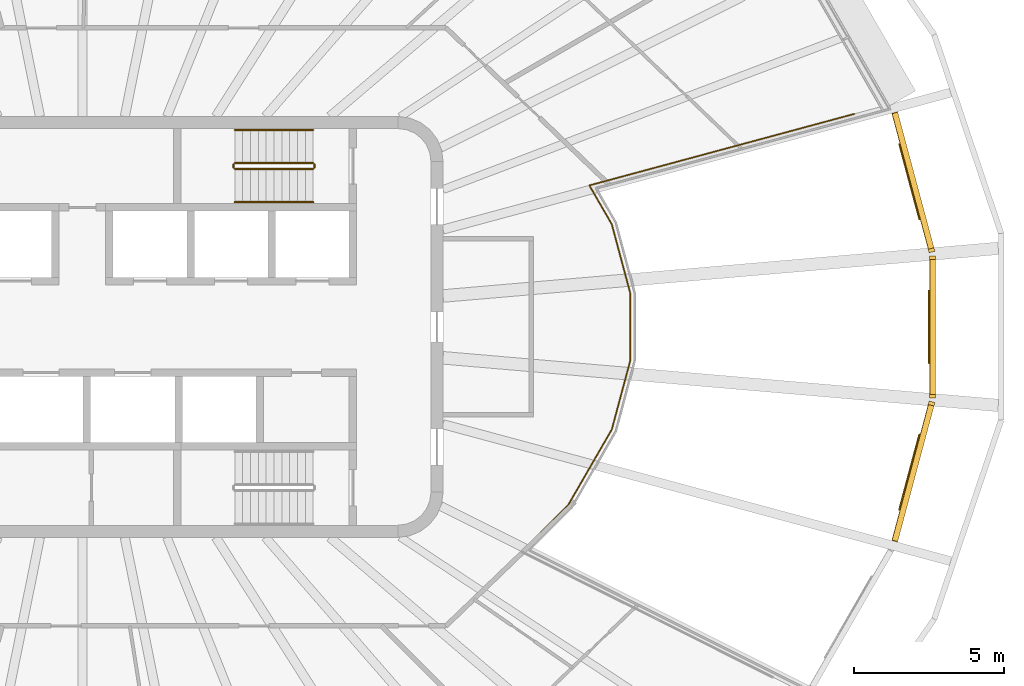
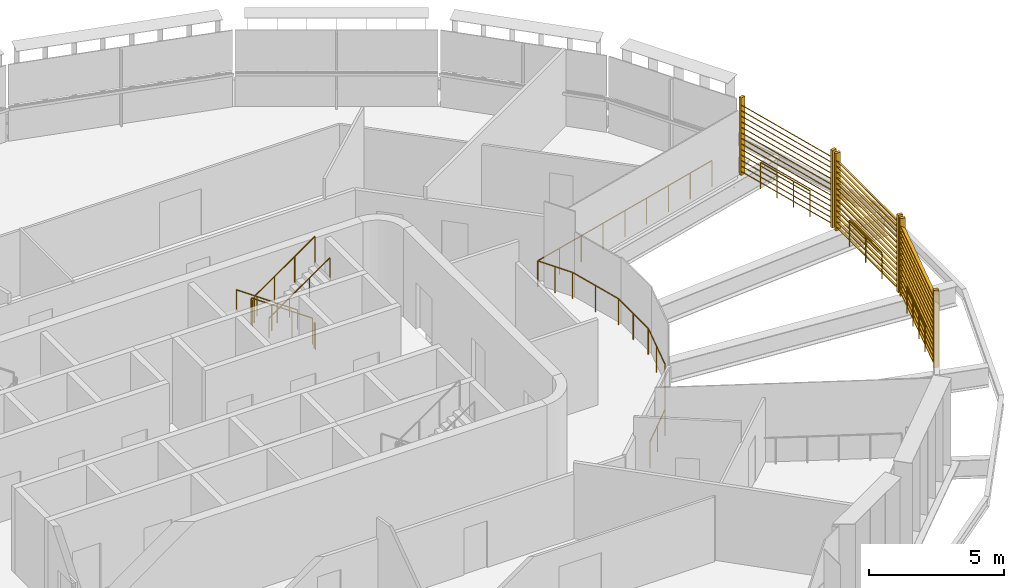
# One storey, part 16 of 17: 10 railings, 3 shading devices.
"""IFC4 building model written with IfcOpenShell, lengths in metres."""

from ifc_helpers import new_model, si_unit, direction, frame, origin, origin_2d, place, context, subcontext, project, spatial, rectangle, circle, extrude, material, type_object, element, save


model = new_model("IFC4")

# Units and contexts
model_context = context("Model", 3, precision=1e-05, world=origin(), true_north=direction((0.0, 1.0)))
body_context = subcontext(model_context, "Body", "Model", "MODEL_VIEW")
ifc_project = project(units=[si_unit("LENGTHUNIT", "METRE"), si_unit("AREAUNIT", "SQUARE_METRE"), si_unit("VOLUMEUNIT", "CUBIC_METRE"), si_unit("PLANEANGLEUNIT", "RADIAN"), si_unit("MASSUNIT", "GRAM", prefix="KILO")], contexts=[model_context])

# Site, building, storey
site_placement = place(None, origin())
site = spatial("IfcSite", under=ifc_project, at=site_placement, CompositionType="ELEMENT")
building_placement = place(site_placement, origin())
building = spatial("IfcBuilding", under=site, at=building_placement, Name="Sahrelin Media Tower", CompositionType="ELEMENT")
storey_placement = place(building_placement, frame((0.0, 0.0, 291.0)))
storey = spatial("IfcBuildingStorey", under=building, at=storey_placement, Name="L64", CompositionType="ELEMENT", Elevation=291.0)

# Shading devices
ifc_material_1 = material(Name="Champagne anodised aluminium 6063-T6", Category="aluminium")
shading_device_type = type_object("IfcShadingDeviceType", Name="Garden screen", PredefinedType="USERDEFINED", material=ifc_material_1)
shading_device_1_placement = place(storey_placement, frame((28.18017578125, 0.0, 0.0), z_axis=(0.0, 0.0, 1.0), x_axis=(0.0, -1.0, 0.0)))
element("IfcShadingDevice", 1, at=shading_device_1_placement, inside=storey, type_object=shading_device_type, Name="L64:SCREEN:L64-00", ObjectType="SCREEN", PredefinedType="USERDEFINED", context=body_context, shape_type="SweptSolid", body=[
    extrude(rectangle(XDim=0.1201171875, YDim=0.199951171875, at=origin_2d()), frame((2.30615234375, 0.10009765625, 0.050048828125), z_axis=(0.0, 0.0, 1.0), x_axis=(1.0, 0.0, 0.0)), (0.0, 0.0, 1.0), 3.49853515625),
    extrude(rectangle(XDim=0.1201171875, YDim=0.199951171875, at=origin_2d()), frame((-2.30615234375, 0.10009765625, 0.050048828125), z_axis=(0.0, 0.0, 1.0), x_axis=(1.0, 0.0, 0.0)), (0.0, 0.0, 1.0), 3.49853515625),
    extrude(rectangle(XDim=0.25, YDim=0.02001953125, at=origin_2d()), frame((2.24609375, 0.10009765625, 0.14990234375), z_axis=(-1.0, 0.0, 0.0), x_axis=(0.0, -0.766044443119, 0.642787609687)), (0.0, 0.0, 1.0), 4.4921875),
    extrude(rectangle(XDim=0.25, YDim=0.02001953125, at=origin_2d()), frame((2.24609375, 0.10009765625, 0.39990234375), z_axis=(-1.0, 0.0, 0.0), x_axis=(0.0, -0.766044443119, 0.642787609687)), (0.0, 0.0, 1.0), 4.4921875),
    extrude(rectangle(XDim=0.25, YDim=0.02001953125, at=origin_2d()), frame((2.24609375, 0.10009765625, 0.64990234375), z_axis=(-1.0, 0.0, 0.0), x_axis=(0.0, -0.766044443119, 0.642787609687)), (0.0, 0.0, 1.0), 4.4921875),
    extrude(rectangle(XDim=0.25, YDim=0.02001953125, at=origin_2d()), frame((2.24609375, 0.10009765625, 0.89990234375), z_axis=(-1.0, 0.0, 0.0), x_axis=(0.0, -0.766044443119, 0.642787609687)), (0.0, 0.0, 1.0), 4.4921875),
    extrude(rectangle(XDim=0.25, YDim=0.02001953125, at=origin_2d()), frame((2.24609375, 0.10009765625, 1.14990234375), z_axis=(-1.0, 0.0, 0.0), x_axis=(0.0, -0.766044443119, 0.642787609687)), (0.0, 0.0, 1.0), 4.4921875),
    extrude(rectangle(XDim=0.25, YDim=0.02001953125, at=origin_2d()), frame((2.24609375, 0.10009765625, 1.39990234375), z_axis=(-1.0, 0.0, 0.0), x_axis=(0.0, -0.766044443119, 0.642787609687)), (0.0, 0.0, 1.0), 4.4921875),
    extrude(rectangle(XDim=0.25, YDim=0.02001953125, at=origin_2d()), frame((2.24609375, 0.10009765625, 1.64990234375), z_axis=(-1.0, 0.0, 0.0), x_axis=(0.0, -0.766044443119, 0.642787609687)), (0.0, 0.0, 1.0), 4.4921875),
    extrude(rectangle(XDim=0.25, YDim=0.02001953125, at=origin_2d()), frame((2.24609375, 0.10009765625, 1.89990234375), z_axis=(-1.0, 0.0, 0.0), x_axis=(0.0, -0.766044443119, 0.642787609687)), (0.0, 0.0, 1.0), 4.4921875),
    extrude(rectangle(XDim=0.25, YDim=0.02001953125, at=origin_2d()), frame((2.24609375, 0.10009765625, 2.14990234375), z_axis=(-1.0, 0.0, 0.0), x_axis=(0.0, -0.766044443119, 0.642787609687)), (0.0, 0.0, 1.0), 4.4921875),
    extrude(rectangle(XDim=0.25, YDim=0.02001953125, at=origin_2d()), frame((2.24609375, 0.10009765625, 2.39990234375), z_axis=(-1.0, 0.0, 0.0), x_axis=(0.0, -0.766044443119, 0.642787609687)), (0.0, 0.0, 1.0), 4.4921875),
    extrude(rectangle(XDim=0.25, YDim=0.02001953125, at=origin_2d()), frame((2.24609375, 0.10009765625, 2.64990234375), z_axis=(-1.0, 0.0, 0.0), x_axis=(0.0, -0.766044443119, 0.642787609687)), (0.0, 0.0, 1.0), 4.4921875),
    extrude(rectangle(XDim=0.25, YDim=0.02001953125, at=origin_2d()), frame((2.24609375, 0.10009765625, 2.89990234375), z_axis=(-1.0, 0.0, 0.0), x_axis=(0.0, -0.766044443119, 0.642787609687)), (0.0, 0.0, 1.0), 4.4921875),
    extrude(rectangle(XDim=0.25, YDim=0.02001953125, at=origin_2d()), frame((2.24609375, 0.10009765625, 3.14990234375), z_axis=(-1.0, 0.0, 0.0), x_axis=(0.0, -0.766044443119, 0.642787609687)), (0.0, 0.0, 1.0), 4.4921875),
])
shading_device_2_placement = place(storey_placement, frame((27.531982421875, 4.835205078125, 0.0), z_axis=(0.0, 0.0, 1.0), x_axis=(0.258807731996, -0.965928857556, 0.0)))
element("IfcShadingDevice", 2, at=shading_device_2_placement, inside=storey, type_object=shading_device_type, Name="L64:SCREEN:L64-01", ObjectType="SCREEN", PredefinedType="USERDEFINED", context=body_context, shape_type="SweptSolid", body=[
    extrude(rectangle(XDim=0.1201171875, YDim=0.199951171875, at=origin_2d()), frame((2.394287109375, 0.10009765625, 0.050048828125), z_axis=(0.0, 0.0, 1.0), x_axis=(1.0, 0.0, 0.0)), (0.0, 0.0, 1.0), 3.49853515625),
    extrude(rectangle(XDim=0.1201171875, YDim=0.199951171875, at=origin_2d()), frame((-2.394287109375, 0.10009765625, 0.050048828125), z_axis=(0.0, 0.0, 1.0), x_axis=(1.0, 0.0, 0.0)), (0.0, 0.0, 1.0), 3.49853515625),
    extrude(rectangle(XDim=0.25, YDim=0.02001953125, at=origin_2d()), frame((2.33447265625, 0.10009765625, 0.14990234375), z_axis=(-1.0, 0.0, 0.0), x_axis=(0.0, -0.766044443119, 0.642787609687)), (0.0, 0.0, 1.0), 4.6689453125),
    extrude(rectangle(XDim=0.25, YDim=0.02001953125, at=origin_2d()), frame((2.33447265625, 0.10009765625, 0.39990234375), z_axis=(-1.0, 0.0, 0.0), x_axis=(0.0, -0.766044443119, 0.642787609687)), (0.0, 0.0, 1.0), 4.6689453125),
    extrude(rectangle(XDim=0.25, YDim=0.02001953125, at=origin_2d()), frame((2.33447265625, 0.10009765625, 0.64990234375), z_axis=(-1.0, 0.0, 0.0), x_axis=(0.0, -0.766044443119, 0.642787609687)), (0.0, 0.0, 1.0), 4.6689453125),
    extrude(rectangle(XDim=0.25, YDim=0.02001953125, at=origin_2d()), frame((2.33447265625, 0.10009765625, 0.89990234375), z_axis=(-1.0, 0.0, 0.0), x_axis=(0.0, -0.766044443119, 0.642787609687)), (0.0, 0.0, 1.0), 4.6689453125),
    extrude(rectangle(XDim=0.25, YDim=0.02001953125, at=origin_2d()), frame((2.33447265625, 0.10009765625, 1.14990234375), z_axis=(-1.0, 0.0, 0.0), x_axis=(0.0, -0.766044443119, 0.642787609687)), (0.0, 0.0, 1.0), 4.6689453125),
    extrude(rectangle(XDim=0.25, YDim=0.02001953125, at=origin_2d()), frame((2.33447265625, 0.10009765625, 1.39990234375), z_axis=(-1.0, 0.0, 0.0), x_axis=(0.0, -0.766044443119, 0.642787609687)), (0.0, 0.0, 1.0), 4.6689453125),
    extrude(rectangle(XDim=0.25, YDim=0.02001953125, at=origin_2d()), frame((2.33447265625, 0.10009765625, 1.64990234375), z_axis=(-1.0, 0.0, 0.0), x_axis=(0.0, -0.766044443119, 0.642787609687)), (0.0, 0.0, 1.0), 4.6689453125),
    extrude(rectangle(XDim=0.25, YDim=0.02001953125, at=origin_2d()), frame((2.33447265625, 0.10009765625, 1.89990234375), z_axis=(-1.0, 0.0, 0.0), x_axis=(0.0, -0.766044443119, 0.642787609687)), (0.0, 0.0, 1.0), 4.6689453125),
    extrude(rectangle(XDim=0.25, YDim=0.02001953125, at=origin_2d()), frame((2.33447265625, 0.10009765625, 2.14990234375), z_axis=(-1.0, 0.0, 0.0), x_axis=(0.0, -0.766044443119, 0.642787609687)), (0.0, 0.0, 1.0), 4.6689453125),
    extrude(rectangle(XDim=0.25, YDim=0.02001953125, at=origin_2d()), frame((2.33447265625, 0.10009765625, 2.39990234375), z_axis=(-1.0, 0.0, 0.0), x_axis=(0.0, -0.766044443119, 0.642787609687)), (0.0, 0.0, 1.0), 4.6689453125),
    extrude(rectangle(XDim=0.25, YDim=0.02001953125, at=origin_2d()), frame((2.33447265625, 0.10009765625, 2.64990234375), z_axis=(-1.0, 0.0, 0.0), x_axis=(0.0, -0.766044443119, 0.642787609687)), (0.0, 0.0, 1.0), 4.6689453125),
    extrude(rectangle(XDim=0.25, YDim=0.02001953125, at=origin_2d()), frame((2.33447265625, 0.10009765625, 2.89990234375), z_axis=(-1.0, 0.0, 0.0), x_axis=(0.0, -0.766044443119, 0.642787609687)), (0.0, 0.0, 1.0), 4.6689453125),
    extrude(rectangle(XDim=0.25, YDim=0.02001953125, at=origin_2d()), frame((2.33447265625, 0.10009765625, 3.14990234375), z_axis=(-1.0, 0.0, 0.0), x_axis=(0.0, -0.766044443119, 0.642787609687)), (0.0, 0.0, 1.0), 4.6689453125),
])
shading_device_3_placement = place(storey_placement, frame((27.531982421875, -4.835205078125, 0.0), z_axis=(0.0, 0.0, 1.0), x_axis=(-0.258807731996, -0.965928857556, 0.0)))
element("IfcShadingDevice", 3, at=shading_device_3_placement, inside=storey, type_object=shading_device_type, Name="L64:SCREEN:L64-23", ObjectType="SCREEN", PredefinedType="USERDEFINED", context=body_context, shape_type="SweptSolid", body=[
    extrude(rectangle(XDim=0.1201171875, YDim=0.199951171875, at=origin_2d()), frame((2.394287109375, 0.10009765625, 0.050048828125), z_axis=(0.0, 0.0, 1.0), x_axis=(1.0, 0.0, 0.0)), (0.0, 0.0, 1.0), 3.49853515625),
    extrude(rectangle(XDim=0.1201171875, YDim=0.199951171875, at=origin_2d()), frame((-2.394287109375, 0.10009765625, 0.050048828125), z_axis=(0.0, 0.0, 1.0), x_axis=(1.0, 0.0, 0.0)), (0.0, 0.0, 1.0), 3.49853515625),
    extrude(rectangle(XDim=0.25, YDim=0.02001953125, at=origin_2d()), frame((2.33447265625, 0.10009765625, 0.14990234375), z_axis=(-1.0, 0.0, 0.0), x_axis=(0.0, -0.766044443119, 0.642787609687)), (0.0, 0.0, 1.0), 4.6689453125),
    extrude(rectangle(XDim=0.25, YDim=0.02001953125, at=origin_2d()), frame((2.33447265625, 0.10009765625, 0.39990234375), z_axis=(-1.0, 0.0, 0.0), x_axis=(0.0, -0.766044443119, 0.642787609687)), (0.0, 0.0, 1.0), 4.6689453125),
    extrude(rectangle(XDim=0.25, YDim=0.02001953125, at=origin_2d()), frame((2.33447265625, 0.10009765625, 0.64990234375), z_axis=(-1.0, 0.0, 0.0), x_axis=(0.0, -0.766044443119, 0.642787609687)), (0.0, 0.0, 1.0), 4.6689453125),
    extrude(rectangle(XDim=0.25, YDim=0.02001953125, at=origin_2d()), frame((2.33447265625, 0.10009765625, 0.89990234375), z_axis=(-1.0, 0.0, 0.0), x_axis=(0.0, -0.766044443119, 0.642787609687)), (0.0, 0.0, 1.0), 4.6689453125),
    extrude(rectangle(XDim=0.25, YDim=0.02001953125, at=origin_2d()), frame((2.33447265625, 0.10009765625, 1.14990234375), z_axis=(-1.0, 0.0, 0.0), x_axis=(0.0, -0.766044443119, 0.642787609687)), (0.0, 0.0, 1.0), 4.6689453125),
    extrude(rectangle(XDim=0.25, YDim=0.02001953125, at=origin_2d()), frame((2.33447265625, 0.10009765625, 1.39990234375), z_axis=(-1.0, 0.0, 0.0), x_axis=(0.0, -0.766044443119, 0.642787609687)), (0.0, 0.0, 1.0), 4.6689453125),
    extrude(rectangle(XDim=0.25, YDim=0.02001953125, at=origin_2d()), frame((2.33447265625, 0.10009765625, 1.64990234375), z_axis=(-1.0, 0.0, 0.0), x_axis=(0.0, -0.766044443119, 0.642787609687)), (0.0, 0.0, 1.0), 4.6689453125),
    extrude(rectangle(XDim=0.25, YDim=0.02001953125, at=origin_2d()), frame((2.33447265625, 0.10009765625, 1.89990234375), z_axis=(-1.0, 0.0, 0.0), x_axis=(0.0, -0.766044443119, 0.642787609687)), (0.0, 0.0, 1.0), 4.6689453125),
    extrude(rectangle(XDim=0.25, YDim=0.02001953125, at=origin_2d()), frame((2.33447265625, 0.10009765625, 2.14990234375), z_axis=(-1.0, 0.0, 0.0), x_axis=(0.0, -0.766044443119, 0.642787609687)), (0.0, 0.0, 1.0), 4.6689453125),
    extrude(rectangle(XDim=0.25, YDim=0.02001953125, at=origin_2d()), frame((2.33447265625, 0.10009765625, 2.39990234375), z_axis=(-1.0, 0.0, 0.0), x_axis=(0.0, -0.766044443119, 0.642787609687)), (0.0, 0.0, 1.0), 4.6689453125),
    extrude(rectangle(XDim=0.25, YDim=0.02001953125, at=origin_2d()), frame((2.33447265625, 0.10009765625, 2.64990234375), z_axis=(-1.0, 0.0, 0.0), x_axis=(0.0, -0.766044443119, 0.642787609687)), (0.0, 0.0, 1.0), 4.6689453125),
    extrude(rectangle(XDim=0.25, YDim=0.02001953125, at=origin_2d()), frame((2.33447265625, 0.10009765625, 2.89990234375), z_axis=(-1.0, 0.0, 0.0), x_axis=(0.0, -0.766044443119, 0.642787609687)), (0.0, 0.0, 1.0), 4.6689453125),
    extrude(rectangle(XDim=0.25, YDim=0.02001953125, at=origin_2d()), frame((2.33447265625, 0.10009765625, 3.14990234375), z_axis=(-1.0, 0.0, 0.0), x_axis=(0.0, -0.766044443119, 0.642787609687)), (0.0, 0.0, 1.0), 4.6689453125),
])

# Railings
ifc_material_2 = material(Name="Stainless steel 316", Category="steel")
railing_type_1 = type_object("IfcRailingType", Name="Sky garden guard", PredefinedType="GUARDRAIL", material=ifc_material_2)
railing_1_placement = place(storey_placement, frame((14.6181640625, -7.47900390625, 0.0)))
element("IfcRailing", 4, at=railing_1_placement, inside=storey, type_object=railing_type_1, Name="Sky garden void guard G8-1", PredefinedType="GUARDRAIL", context=body_context, shape_type="SweptSolid", body=[
    extrude(circle(Radius=0.02392578125, at=origin_2d()), frame((0.0, 0.0, 1.17578125), z_axis=(0.707106781187, 0.707106781187, 0.0), x_axis=(-0.707106781187, 0.707106781187, 0.0)), (0.0, 0.0, 1.0), 2.163330078125),
    extrude(circle(Radius=0.02392578125, at=origin_2d()), frame((1.52978515625, 1.52978515625, 1.17578125), z_axis=(0.500013600279, 0.866017551517, 0.0), x_axis=(-0.866017551517, 0.500013600279, 0.0)), (0.0, 0.0, 1.0), 2.927734375),
    extrude(circle(Radius=0.02392578125, at=origin_2d()), frame((2.99365234375, 4.065185546875, 1.17578125), z_axis=(0.258756517988, 0.96594257821, 0.0), x_axis=(-0.96594257821, 0.258756517988, 0.0)), (0.0, 0.0, 1.0), 2.388916015625),
    extrude(circle(Radius=0.02392578125, at=origin_2d()), frame((3.61181640625, 6.372802734375, 1.17578125), z_axis=(0.0, 1.0, 0.0), x_axis=(-1.0, 0.0, 0.0)), (0.0, 0.0, 1.0), 2.21240234375),
    extrude(circle(Radius=0.02392578125, at=origin_2d()), frame((3.61181640625, 8.585205078125, 1.17578125), z_axis=(-0.258756517988, 0.96594257821, 0.0), x_axis=(-0.96594257821, -0.258756517988, 0.0)), (0.0, 0.0, 1.0), 2.388916015625),
    extrude(circle(Radius=0.02392578125, at=origin_2d()), frame((2.99365234375, 10.892822265625, 1.17578125), z_axis=(-0.500062282582, 0.865989441933, 0.0), x_axis=(-0.865989441933, -0.500062282582, 0.0)), (0.0, 0.0, 1.0), 1.492431640625),
    extrude(circle(Radius=0.02392578125, at=origin_2d()), frame((2.247314453125, 12.185302734375, 1.17578125), z_axis=(0.965466890422, 0.260525782789, 0.0), x_axis=(-0.260525782789, 0.965466890422, 0.0)), (0.0, 0.0, 1.0), 9.130126953125),
    extrude(circle(Radius=0.02099609375, at=origin_2d()), origin(), (0.0, 0.0, 1.0), 1.15185546875),
    extrude(circle(Radius=0.02099609375, at=origin_2d()), frame((0.764892578125, 0.764892578125, 0.0)), (0.0, 0.0, 1.0), 1.15185546875),
    extrude(circle(Radius=0.02099609375, at=origin_2d()), frame((1.52978515625, 1.52978515625, 0.0)), (0.0, 0.0, 1.0), 1.15185546875),
    extrude(circle(Radius=0.02099609375, at=origin_2d()), frame((2.017822265625, 2.375, 0.0)), (0.0, 0.0, 1.0), 1.15185546875),
    extrude(circle(Radius=0.02099609375, at=origin_2d()), frame((2.505615234375, 3.219970703125, 0.0)), (0.0, 0.0, 1.0), 1.15185546875),
    extrude(circle(Radius=0.02099609375, at=origin_2d()), frame((2.99365234375, 4.065185546875, 0.0)), (0.0, 0.0, 1.0), 1.15185546875),
    extrude(circle(Radius=0.02099609375, at=origin_2d()), frame((3.302734375, 5.218994140625, 0.0)), (0.0, 0.0, 1.0), 1.15185546875),
    extrude(circle(Radius=0.02099609375, at=origin_2d()), frame((3.61181640625, 6.372802734375, 0.0)), (0.0, 0.0, 1.0), 1.15185546875),
    extrude(circle(Radius=0.02099609375, at=origin_2d()), frame((3.61181640625, 7.47900390625, 0.0)), (0.0, 0.0, 1.0), 1.15185546875),
    extrude(circle(Radius=0.02099609375, at=origin_2d()), frame((3.61181640625, 8.585205078125, 0.0)), (0.0, 0.0, 1.0), 1.15185546875),
    extrude(circle(Radius=0.02099609375, at=origin_2d()), frame((3.302734375, 9.739013671875, 0.0)), (0.0, 0.0, 1.0), 1.15185546875),
    extrude(circle(Radius=0.02099609375, at=origin_2d()), frame((2.99365234375, 10.892822265625, 0.0)), (0.0, 0.0, 1.0), 1.15185546875),
    extrude(circle(Radius=0.02099609375, at=origin_2d()), frame((2.62060546875, 11.5390625, 0.0)), (0.0, 0.0, 1.0), 1.15185546875),
    extrude(circle(Radius=0.02099609375, at=origin_2d()), frame((2.247314453125, 12.185302734375, 0.0)), (0.0, 0.0, 1.0), 1.15185546875),
    extrude(circle(Radius=0.02099609375, at=origin_2d()), frame((3.34912109375, 12.482666015625, 0.0)), (0.0, 0.0, 1.0), 1.15185546875),
    extrude(circle(Radius=0.02099609375, at=origin_2d()), frame((4.451171875, 12.780029296875, 0.0)), (0.0, 0.0, 1.0), 1.15185546875),
    extrude(circle(Radius=0.02099609375, at=origin_2d()), frame((5.552978515625, 13.077392578125, 0.0)), (0.0, 0.0, 1.0), 1.15185546875),
    extrude(circle(Radius=0.02099609375, at=origin_2d()), frame((6.65478515625, 13.37451171875, 0.0)), (0.0, 0.0, 1.0), 1.15185546875),
    extrude(circle(Radius=0.02099609375, at=origin_2d()), frame((7.756591796875, 13.671875, 0.0)), (0.0, 0.0, 1.0), 1.15185546875),
    extrude(circle(Radius=0.02099609375, at=origin_2d()), frame((8.8583984375, 13.96923828125, 0.0)), (0.0, 0.0, 1.0), 1.15185546875),
    extrude(circle(Radius=0.02099609375, at=origin_2d()), frame((9.96044921875, 14.2666015625, 0.0)), (0.0, 0.0, 1.0), 1.15185546875),
    extrude(circle(Radius=0.02099609375, at=origin_2d()), frame((11.062255859375, 14.56396484375, 0.0)), (0.0, 0.0, 1.0), 1.15185546875),
])
railing_2_placement = place(storey_placement, frame((27.176513671875, 6.074462890625, 0.0)))
element("IfcRailing", 5, at=railing_2_placement, inside=storey, type_object=railing_type_1, Name="Sky garden void guard G8-2", PredefinedType="GUARDRAIL", context=body_context, shape_type="SweptSolid", body=[
    extrude(circle(Radius=0.02392578125, at=origin_2d()), frame((0.0, 0.0, 1.17578125), z_axis=(0.258781820364, -0.965935799859, 0.0), x_axis=(0.965935799859, 0.258781820364, 0.0)), (0.0, 0.0, 1.0), 2.579345703125),
    extrude(circle(Radius=0.02099609375, at=origin_2d()), origin(), (0.0, 0.0, 1.0), 1.15185546875),
    extrude(circle(Radius=0.02099609375, at=origin_2d()), frame((0.222412109375, -0.83056640625, 0.0)), (0.0, 0.0, 1.0), 1.15185546875),
    extrude(circle(Radius=0.02099609375, at=origin_2d()), frame((0.445068359375, -1.660888671875, 0.0)), (0.0, 0.0, 1.0), 1.15185546875),
    extrude(circle(Radius=0.02099609375, at=origin_2d()), frame((0.66748046875, -2.491455078125, 0.0)), (0.0, 0.0, 1.0), 1.15185546875),
])
railing_3_placement = place(storey_placement, frame((28.15771484375, 1.198486328125, 0.0)))
element("IfcRailing", 6, at=railing_3_placement, inside=storey, type_object=railing_type_1, Name="Sky garden void guard G8-3", PredefinedType="GUARDRAIL", context=body_context, shape_type="SweptSolid", body=[
    extrude(circle(Radius=0.02392578125, at=origin_2d()), frame((0.0, 0.0, 1.17578125), z_axis=(0.0, -1.0, 0.0), x_axis=(1.0, 0.0, 0.0)), (0.0, 0.0, 1.0), 2.39697265625),
    extrude(circle(Radius=0.02099609375, at=origin_2d()), origin(), (0.0, 0.0, 1.0), 1.15185546875),
    extrude(circle(Radius=0.02099609375, at=origin_2d()), frame((0.0, -1.198486328125, 0.0)), (0.0, 0.0, 1.0), 1.15185546875),
    extrude(circle(Radius=0.02099609375, at=origin_2d()), frame((0.0, -2.39697265625, 0.0)), (0.0, 0.0, 1.0), 1.15185546875),
])
railing_4_placement = place(storey_placement, frame((27.843994140625, -3.5830078125, 0.0)))
element("IfcRailing", 7, at=railing_4_placement, inside=storey, type_object=railing_type_1, Name="Sky garden void guard G8-4", PredefinedType="GUARDRAIL", context=body_context, shape_type="SweptSolid", body=[
    extrude(circle(Radius=0.02392578125, at=origin_2d()), frame((0.0, 0.0, 1.17578125), z_axis=(-0.258781820364, -0.965935799859, 0.0), x_axis=(0.965935799859, -0.258781820364, 0.0)), (0.0, 0.0, 1.0), 2.579345703125),
    extrude(circle(Radius=0.02099609375, at=origin_2d()), origin(), (0.0, 0.0, 1.0), 1.15185546875),
    extrude(circle(Radius=0.02099609375, at=origin_2d()), frame((-0.222412109375, -0.83056640625, 0.0)), (0.0, 0.0, 1.0), 1.15185546875),
    extrude(circle(Radius=0.02099609375, at=origin_2d()), frame((-0.445068359375, -1.660888671875, 0.0)), (0.0, 0.0, 1.0), 1.15185546875),
    extrude(circle(Radius=0.02099609375, at=origin_2d()), frame((-0.66748046875, -2.491455078125, 0.0)), (0.0, 0.0, 1.0), 1.15185546875),
])
ifc_material_3 = material(Name="Steel S355", Category="steel")
railing_type_2 = type_object("IfcRailingType", Name="Stair guard 1200", PredefinedType="GUARDRAIL", material=ifc_material_3)
railing_5_placement = place(storey_placement, frame((7.675048828125, 5.449951171875, 0.181884765625)))
element("IfcRailing", 8, at=railing_5_placement, inside=storey, type_object=railing_type_2, Name="L64 ST3 stair guard 1", PredefinedType="GUARDRAIL", context=body_context, shape_type="SweptSolid", body=[
    extrude(circle(Radius=0.02392578125, at=origin_2d()), frame((0.0, 0.0, 1.17578125), z_axis=(-0.819521025635, 0.0, 0.573049115296), x_axis=(0.0, -1.0, 0.0)), (0.0, 0.0, 1.0), 3.172607421875),
    extrude(circle(Radius=0.02099609375, at=origin_2d()), origin(), (0.0, 0.0, 1.0), 1.15185546875),
    extrude(circle(Radius=0.02099609375, at=origin_2d()), frame((-0.86669921875, 0.0, 0.60595703125)), (0.0, 0.0, 1.0), 1.15185546875),
    extrude(circle(Radius=0.02099609375, at=origin_2d()), frame((-1.7333984375, 0.0, 1.212158203125)), (0.0, 0.0, 1.0), 1.15185546875),
    extrude(circle(Radius=0.02099609375, at=origin_2d()), frame((-2.60009765625, 0.0, 1.818115234375)), (0.0, 0.0, 1.0), 1.15185546875),
])
railing_6_placement = place(storey_placement, frame((5.02490234375, 5.39990234375, 2.0)))
element("IfcRailing", 9, at=railing_6_placement, inside=storey, type_object=railing_type_2, Name="L64 ST3 stair guard 2", PredefinedType="GUARDRAIL", context=body_context, shape_type="SweptSolid", body=[
    extrude(circle(Radius=0.02392578125, at=origin_2d()), frame((0.0, 0.0, 1.17578125), z_axis=(0.0, -1.0, 0.0), x_axis=(1.0, 0.0, 0.0)), (0.0, 0.0, 1.0), 0.099853515625),
    extrude(circle(Radius=0.02099609375, at=origin_2d()), origin(), (0.0, 0.0, 1.0), 1.15185546875),
    extrude(circle(Radius=0.02099609375, at=origin_2d()), frame((0.0, -0.099853515625, 0.0)), (0.0, 0.0, 1.0), 1.15185546875),
])
railing_7_placement = place(storey_placement, frame((5.074951171875, 5.25, 2.181884765625)))
element("IfcRailing", 10, at=railing_7_placement, inside=storey, type_object=railing_type_2, Name="L64 ST3 stair guard 3", PredefinedType="GUARDRAIL", context=body_context, shape_type="SweptSolid", body=[
    extrude(circle(Radius=0.02392578125, at=origin_2d()), frame((0.0, 0.0, 1.17578125), z_axis=(0.819521025635, 0.0, 0.573049115296), x_axis=(0.0, 1.0, 0.0)), (0.0, 0.0, 1.0), 3.172607421875),
    extrude(circle(Radius=0.02099609375, at=origin_2d()), origin(), (0.0, 0.0, 1.0), 1.15185546875),
    extrude(circle(Radius=0.02099609375, at=origin_2d()), frame((0.86669921875, 0.0, 0.60595703125)), (0.0, 0.0, 1.0), 1.15185546875),
    extrude(circle(Radius=0.02099609375, at=origin_2d()), frame((1.7333984375, 0.0, 1.212158203125)), (0.0, 0.0, 1.0), 1.15185546875),
    extrude(circle(Radius=0.02099609375, at=origin_2d()), frame((2.60009765625, 0.0, 1.818115234375)), (0.0, 0.0, 1.0), 1.15185546875),
])
railing_8_placement = place(storey_placement, frame((7.72509765625, 5.39990234375, 0.0)))
element("IfcRailing", 11, at=railing_8_placement, inside=storey, type_object=railing_type_2, Name="L64 ST3 stair guard 4", PredefinedType="GUARDRAIL", context=body_context, shape_type="SweptSolid", body=[
    extrude(circle(Radius=0.02392578125, at=origin_2d()), frame((0.0, 0.0, 1.17578125), z_axis=(0.0, -1.0, 0.0), x_axis=(1.0, 0.0, 0.0)), (0.0, 0.0, 1.0), 0.099853515625),
    extrude(circle(Radius=0.02099609375, at=origin_2d()), origin(), (0.0, 0.0, 1.0), 1.15185546875),
    extrude(circle(Radius=0.02099609375, at=origin_2d()), frame((0.0, -0.099853515625, 0.0)), (0.0, 0.0, 1.0), 1.15185546875),
])
railing_type_3 = type_object("IfcRailingType", Name="Stair handrail 900", PredefinedType="HANDRAIL", material=ifc_material_3)
railing_9_placement = place(storey_placement, frame((7.675048828125, 6.550048828125, 0.181884765625)))
element("IfcRailing", 12, at=railing_9_placement, inside=storey, type_object=railing_type_3, Name="L64 ST3 stair handrail 1", PredefinedType="HANDRAIL", context=body_context, shape_type="SweptSolid", body=[
    extrude(circle(Radius=0.02392578125, at=origin_2d()), frame((0.0, 0.0, 0.8759765625), z_axis=(-0.819521025635, 0.0, 0.573049115296), x_axis=(0.0, -1.0, 0.0)), (0.0, 0.0, 1.0), 3.172607421875),
    extrude(circle(Radius=0.02099609375, at=origin_2d()), origin(), (0.0, 0.0, 1.0), 0.851806640625),
    extrude(circle(Radius=0.02099609375, at=origin_2d()), frame((-0.86669921875, 0.0, 0.60595703125)), (0.0, 0.0, 1.0), 0.851806640625),
    extrude(circle(Radius=0.02099609375, at=origin_2d()), frame((-1.7333984375, 0.0, 1.212158203125)), (0.0, 0.0, 1.0), 0.851806640625),
    extrude(circle(Radius=0.02099609375, at=origin_2d()), frame((-2.60009765625, 0.0, 1.818115234375)), (0.0, 0.0, 1.0), 0.851806640625),
])
railing_10_placement = place(storey_placement, frame((5.074951171875, 4.14990234375, 2.181884765625)))
element("IfcRailing", 13, at=railing_10_placement, inside=storey, type_object=railing_type_3, Name="L64 ST3 stair handrail 2", PredefinedType="HANDRAIL", context=body_context, shape_type="SweptSolid", body=[
    extrude(circle(Radius=0.02392578125, at=origin_2d()), frame((0.0, 0.0, 0.8759765625), z_axis=(0.819521025635, 0.0, 0.573049115296), x_axis=(0.0, 1.0, 0.0)), (0.0, 0.0, 1.0), 3.172607421875),
    extrude(circle(Radius=0.02099609375, at=origin_2d()), origin(), (0.0, 0.0, 1.0), 0.851806640625),
    extrude(circle(Radius=0.02099609375, at=origin_2d()), frame((0.86669921875, 0.0, 0.60595703125)), (0.0, 0.0, 1.0), 0.851806640625),
    extrude(circle(Radius=0.02099609375, at=origin_2d()), frame((1.7333984375, 0.0, 1.212158203125)), (0.0, 0.0, 1.0), 0.851806640625),
    extrude(circle(Radius=0.02099609375, at=origin_2d()), frame((2.60009765625, 0.0, 1.818115234375)), (0.0, 0.0, 1.0), 0.851806640625),
])

save(model, "model.ifc")
